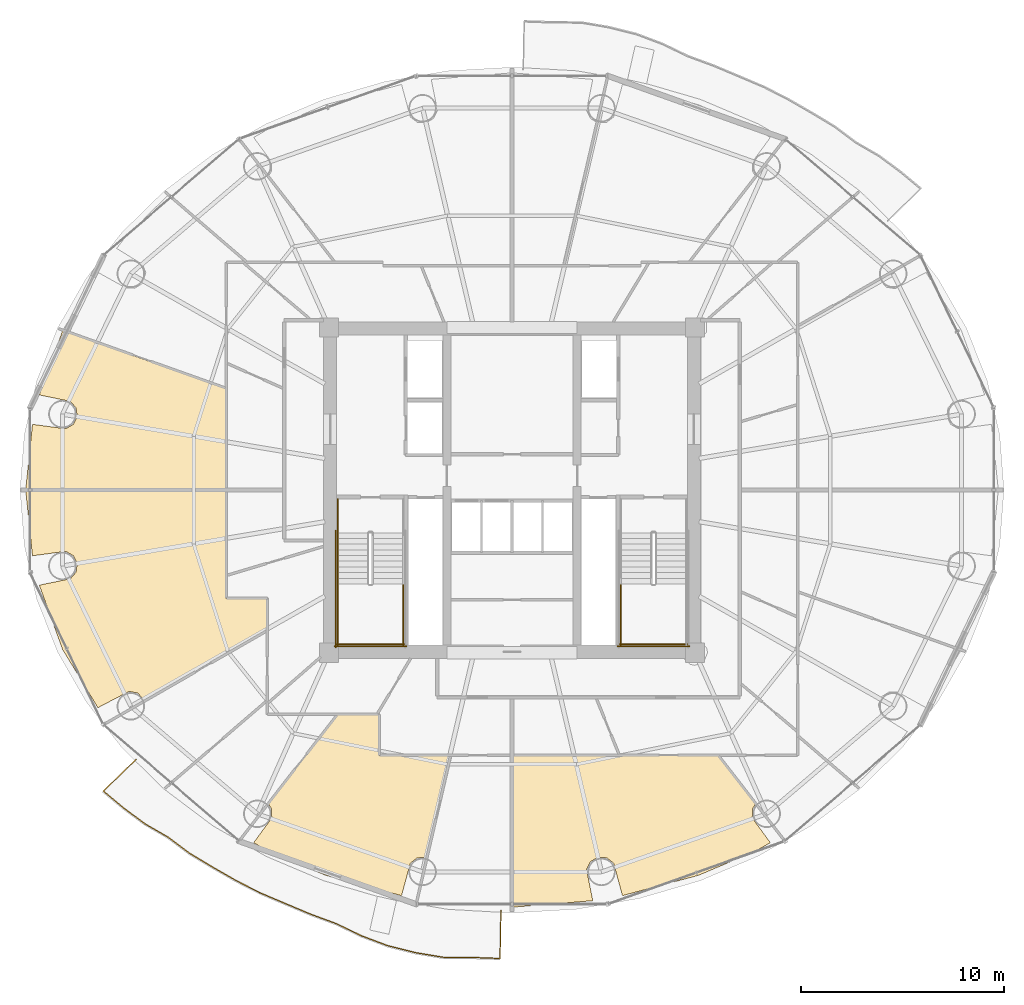
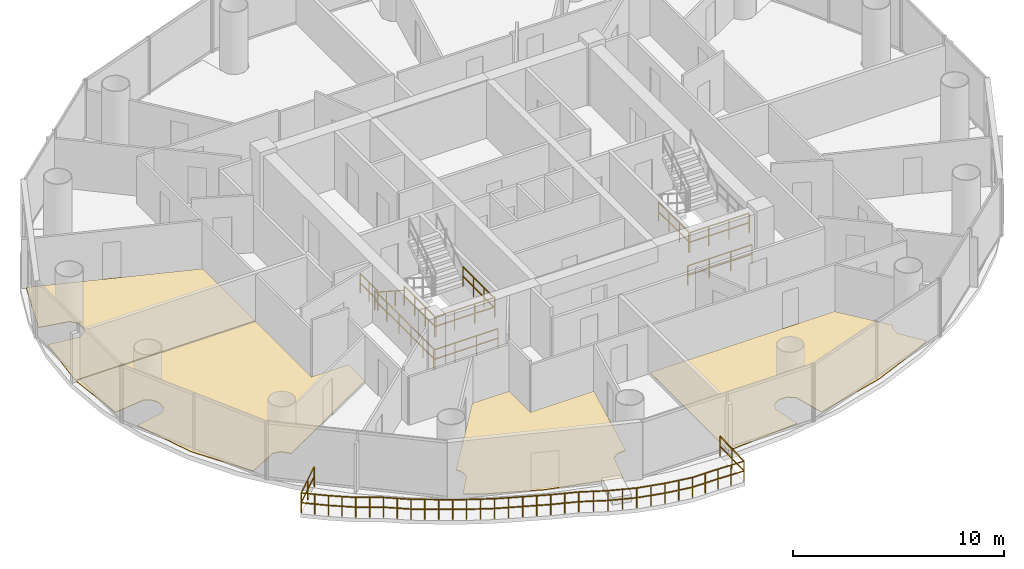
# One storey, part 25 of 27: 11 railings, 4 coverings.
"""IFC4 building model written with IfcOpenShell, lengths in metres."""

from ifc_helpers import new_model, si_unit, direction, frame, origin, origin_2d, place, context, subcontext, project, spatial, polyline, rectangle, outline, extrude, material, layer, layer_set, type_object, element, save


model = new_model("IFC4")

# Units and contexts
model_context = context("Model", 3, precision=1e-05, world=origin(), true_north=direction((-0.2419218956, 0.970295726276)))
body_context = subcontext(model_context, "Body", "Model", "MODEL_VIEW")
ifc_project = project(units=[si_unit("LENGTHUNIT", "METRE"), si_unit("AREAUNIT", "SQUARE_METRE"), si_unit("VOLUMEUNIT", "CUBIC_METRE"), si_unit("PLANEANGLEUNIT", "RADIAN"), si_unit("MASSUNIT", "GRAM", prefix="KILO")], contexts=[model_context])

# Site, building, storey
site_placement = place(None, origin())
site = spatial("IfcSite", under=ifc_project, at=site_placement, CompositionType="ELEMENT")
building_placement = place(site_placement, origin())
building = spatial("IfcBuilding", under=site, at=building_placement, Name="Cobrevalo Terracotta Tower", CompositionType="ELEMENT")
storey_placement = place(building_placement, frame((0.0, 0.0, 160.60009765625)))
storey = spatial("IfcBuildingStorey", under=building, at=storey_placement, Name="L42", CompositionType="ELEMENT", Elevation=160.60009765625)

# Railing
ifc_material_1 = material(Name="Laminated structural glass and stainless steel", Category="steel")
railing_type_1 = type_object("IfcRailingType", Name="Balcony lobe structural glass & terracotta-cap balustrade 1180 mm", PredefinedType="BALUSTRADE", material=ifc_material_1)
railing_1_placement = place(storey_placement, frame((19.51708984375, 13.560302734375, 0.0)))
element("IfcRailing", 1, at=railing_1_placement, inside=storey, type_object=railing_type_1, Name="L42 spiralling balcony lobe balustrade 2", PredefinedType="BALUSTRADE", context=body_context, shape_type="SweptSolid", body=[
    extrude(rectangle(XDim=0.048095703125, YDim=0.048095703125, at=origin_2d()), frame((0.0, 0.0, 1.15576171875), z_axis=(-0.718233453447, -0.695802203467, 0.0), x_axis=(0.695802203467, -0.718233453447, 0.0)), (0.0, 0.0, 1.0), 2.2529296875),
    extrude(rectangle(XDim=0.048095703125, YDim=0.048095703125, at=origin_2d()), frame((0.0, 0.0, 0.58984375), z_axis=(-0.718233453447, -0.695802203467, 0.0), x_axis=(0.695802203467, -0.718233453447, 0.0)), (0.0, 0.0, 1.0), 2.2529296875),
    extrude(rectangle(XDim=0.048095703125, YDim=0.048095703125, at=origin_2d()), frame((-1.6181640625, -1.567626953125, 1.15576171875), z_axis=(0.768618713943, -0.639707177212, 0.0), x_axis=(0.639707177212, 0.768618713943, 0.0)), (0.0, 0.0, 1.0), 1.30859375),
    extrude(rectangle(XDim=0.048095703125, YDim=0.048095703125, at=origin_2d()), frame((-1.6181640625, -1.567626953125, 0.58984375), z_axis=(0.768618713943, -0.639707177212, 0.0), x_axis=(0.639707177212, 0.768618713943, 0.0)), (0.0, 0.0, 1.0), 1.30859375),
    extrude(rectangle(XDim=0.048095703125, YDim=0.048095703125, at=origin_2d()), frame((-0.6123046875, -2.40478515625, 1.15576171875), z_axis=(0.803464437547, -0.595352750558, 0.0), x_axis=(0.595352750558, 0.803464437547, 0.0)), (0.0, 0.0, 1.0), 1.3056640625),
    extrude(rectangle(XDim=0.048095703125, YDim=0.048095703125, at=origin_2d()), frame((-0.6123046875, -2.40478515625, 0.58984375), z_axis=(0.803464437547, -0.595352750558, 0.0), x_axis=(0.595352750558, 0.803464437547, 0.0)), (0.0, 0.0, 1.0), 1.3056640625),
    extrude(rectangle(XDim=0.048095703125, YDim=0.048095703125, at=origin_2d()), frame((0.436767578125, -3.18212890625, 1.15576171875), z_axis=(0.865552503894, -0.500818193561, 0.0), x_axis=(0.500818193561, 0.865552503894, 0.0)), (0.0, 0.0, 1.0), 1.323974609375),
    extrude(rectangle(XDim=0.048095703125, YDim=0.048095703125, at=origin_2d()), frame((0.436767578125, -3.18212890625, 0.58984375), z_axis=(0.865552503894, -0.500818193561, 0.0), x_axis=(0.500818193561, 0.865552503894, 0.0)), (0.0, 0.0, 1.0), 1.323974609375),
    extrude(rectangle(XDim=0.048095703125, YDim=0.048095703125, at=origin_2d()), frame((1.582763671875, -3.84521484375, 1.15576171875), z_axis=(0.800089804673, -0.599880241764, 0.0), x_axis=(0.599880241764, 0.800089804673, 0.0)), (0.0, 0.0, 1.0), 1.3046875),
    extrude(rectangle(XDim=0.048095703125, YDim=0.048095703125, at=origin_2d()), frame((1.582763671875, -3.84521484375, 0.58984375), z_axis=(0.800089804673, -0.599880241764, 0.0), x_axis=(0.599880241764, 0.800089804673, 0.0)), (0.0, 0.0, 1.0), 1.3046875),
    extrude(rectangle(XDim=0.048095703125, YDim=0.048095703125, at=origin_2d()), frame((2.626708984375, -4.6279296875, 1.15576171875), z_axis=(0.857150293111, -0.515066379237, 0.0), x_axis=(0.515066379237, 0.857150293111, 0.0)), (0.0, 0.0, 1.0), 1.321044921875),
    extrude(rectangle(XDim=0.048095703125, YDim=0.048095703125, at=origin_2d()), frame((2.626708984375, -4.6279296875, 0.58984375), z_axis=(0.857150293111, -0.515066379237, 0.0), x_axis=(0.515066379237, 0.857150293111, 0.0)), (0.0, 0.0, 1.0), 1.321044921875),
    extrude(rectangle(XDim=0.048095703125, YDim=0.048095703125, at=origin_2d()), frame((3.759033203125, -5.308349609375, 1.15576171875), z_axis=(0.86753891337, -0.497369313275, 0.0), x_axis=(0.497369313275, 0.86753891337, 0.0)), (0.0, 0.0, 1.0), 1.324462890625),
    extrude(rectangle(XDim=0.048095703125, YDim=0.048095703125, at=origin_2d()), frame((3.759033203125, -5.308349609375, 0.58984375), z_axis=(0.86753891337, -0.497369313275, 0.0), x_axis=(0.497369313275, 0.86753891337, 0.0)), (0.0, 0.0, 1.0), 1.324462890625),
    extrude(rectangle(XDim=0.048095703125, YDim=0.048095703125, at=origin_2d()), frame((4.907958984375, -5.967041015625, 1.15576171875), z_axis=(0.890385027696, -0.455208196822, 0.0), x_axis=(0.455208196822, 0.890385027696, 0.0)), (0.0, 0.0, 1.0), 1.328369140625),
    extrude(rectangle(XDim=0.048095703125, YDim=0.048095703125, at=origin_2d()), frame((4.907958984375, -5.967041015625, 0.58984375), z_axis=(0.890385027696, -0.455208196822, 0.0), x_axis=(0.455208196822, 0.890385027696, 0.0)), (0.0, 0.0, 1.0), 1.328369140625),
    extrude(rectangle(XDim=0.048095703125, YDim=0.048095703125, at=origin_2d()), frame((6.0908203125, -6.57177734375, 1.15576171875), z_axis=(0.920438971217, -0.390886300944, 0.0), x_axis=(0.390886300944, 0.920438971217, 0.0)), (0.0, 0.0, 1.0), 1.341552734375),
    extrude(rectangle(XDim=0.048095703125, YDim=0.048095703125, at=origin_2d()), frame((6.0908203125, -6.57177734375, 0.58984375), z_axis=(0.920438971217, -0.390886300944, 0.0), x_axis=(0.390886300944, 0.920438971217, 0.0)), (0.0, 0.0, 1.0), 1.341552734375),
    extrude(rectangle(XDim=0.048095703125, YDim=0.048095703125, at=origin_2d()), frame((7.32568359375, -7.09619140625, 1.15576171875), z_axis=(0.921669658252, -0.387975567604, 0.0), x_axis=(0.387975567604, 0.921669658252, 0.0)), (0.0, 0.0, 1.0), 1.34033203125),
    extrude(rectangle(XDim=0.048095703125, YDim=0.048095703125, at=origin_2d()), frame((7.32568359375, -7.09619140625, 0.58984375), z_axis=(0.921669658252, -0.387975567604, 0.0), x_axis=(0.387975567604, 0.921669658252, 0.0)), (0.0, 0.0, 1.0), 1.34033203125),
    extrude(rectangle(XDim=0.048095703125, YDim=0.048095703125, at=origin_2d()), frame((8.56103515625, -7.6162109375, 1.15576171875), z_axis=(0.938217022621, -0.346047422276, 0.0), x_axis=(0.346047422276, 0.938217022621, 0.0)), (0.0, 0.0, 1.0), 1.35595703125),
    extrude(rectangle(XDim=0.048095703125, YDim=0.048095703125, at=origin_2d()), frame((8.56103515625, -7.6162109375, 0.58984375), z_axis=(0.938217022621, -0.346047422276, 0.0), x_axis=(0.346047422276, 0.938217022621, 0.0)), (0.0, 0.0, 1.0), 1.35595703125),
    extrude(rectangle(XDim=0.048095703125, YDim=0.048095703125, at=origin_2d()), frame((9.833251953125, -8.08544921875, 1.15576171875), z_axis=(0.900958274247, -0.433905736384, 0.0), x_axis=(0.433905736384, 0.900958274247, 0.0)), (0.0, 0.0, 1.0), 1.384765625),
    extrude(rectangle(XDim=0.048095703125, YDim=0.048095703125, at=origin_2d()), frame((9.833251953125, -8.08544921875, 0.58984375), z_axis=(0.900958274247, -0.433905736384, 0.0), x_axis=(0.433905736384, 0.900958274247, 0.0)), (0.0, 0.0, 1.0), 1.384765625),
    extrude(rectangle(XDim=0.048095703125, YDim=0.048095703125, at=origin_2d()), frame((11.080810546875, -8.686279296875, 1.15576171875), z_axis=(0.935771500911, -0.352607002317, 0.0), x_axis=(0.352607002317, 0.935771500911, 0.0)), (0.0, 0.0, 1.0), 1.38818359375),
    extrude(rectangle(XDim=0.048095703125, YDim=0.048095703125, at=origin_2d()), frame((11.080810546875, -8.686279296875, 0.58984375), z_axis=(0.935771500911, -0.352607002317, 0.0), x_axis=(0.352607002317, 0.935771500911, 0.0)), (0.0, 0.0, 1.0), 1.38818359375),
    extrude(rectangle(XDim=0.048095703125, YDim=0.048095703125, at=origin_2d()), frame((12.3798828125, -9.17578125, 1.15576171875), z_axis=(0.970286719196, -0.241958018159, 0.0), x_axis=(0.241958018159, 0.970286719196, 0.0)), (0.0, 0.0, 1.0), 1.392333984375),
    extrude(rectangle(XDim=0.048095703125, YDim=0.048095703125, at=origin_2d()), frame((12.3798828125, -9.17578125, 0.58984375), z_axis=(0.970286719196, -0.241958018159, 0.0), x_axis=(0.241958018159, 0.970286719196, 0.0)), (0.0, 0.0, 1.0), 1.392333984375),
    extrude(rectangle(XDim=0.048095703125, YDim=0.048095703125, at=origin_2d()), frame((13.73095703125, -9.5126953125, 1.15576171875), z_axis=(0.986251316426, -0.165252355047, 0.0), x_axis=(0.165252355047, 0.986251316426, 0.0)), (0.0, 0.0, 1.0), 1.3916015625),
    extrude(rectangle(XDim=0.048095703125, YDim=0.048095703125, at=origin_2d()), frame((13.73095703125, -9.5126953125, 0.58984375), z_axis=(0.986251316426, -0.165252355047, 0.0), x_axis=(0.165252355047, 0.986251316426, 0.0)), (0.0, 0.0, 1.0), 1.3916015625),
    extrude(rectangle(XDim=0.048095703125, YDim=0.048095703125, at=origin_2d()), frame((15.103515625, -9.74267578125, 1.15576171875), z_axis=(0.999985370717, -0.005409099022, 0.0), x_axis=(0.005409099022, 0.999985370717, 0.0)), (0.0, 0.0, 1.0), 1.399169921875),
    extrude(rectangle(XDim=0.048095703125, YDim=0.048095703125, at=origin_2d()), frame((15.103515625, -9.74267578125, 0.58984375), z_axis=(0.999985370717, -0.005409099022, 0.0), x_axis=(0.005409099022, 0.999985370717, 0.0)), (0.0, 0.0, 1.0), 1.399169921875),
    extrude(rectangle(XDim=0.048095703125, YDim=0.048095703125, at=origin_2d()), frame((16.502685546875, -9.750244140625, 1.15576171875), z_axis=(0.999334859344, -0.036466956271, 0.0), x_axis=(0.036466956271, 0.999334859344, 0.0)), (0.0, 0.0, 1.0), 1.392578125),
    extrude(rectangle(XDim=0.048095703125, YDim=0.048095703125, at=origin_2d()), frame((16.502685546875, -9.750244140625, 0.58984375), z_axis=(0.999334859344, -0.036466956271, 0.0), x_axis=(0.036466956271, 0.999334859344, 0.0)), (0.0, 0.0, 1.0), 1.392578125),
    extrude(rectangle(XDim=0.048095703125, YDim=0.048095703125, at=origin_2d()), frame((17.894287109375, -9.801025390625, 1.15576171875), z_axis=(0.019433880803, 0.999811144305, 0.0), x_axis=(-0.999811144305, 0.019433880803, 0.0)), (0.0, 0.0, 1.0), 2.36181640625),
    extrude(rectangle(XDim=0.048095703125, YDim=0.048095703125, at=origin_2d()), frame((17.894287109375, -9.801025390625, 0.58984375), z_axis=(0.019433880803, 0.999811144305, 0.0), x_axis=(-0.999811144305, 0.019433880803, 0.0)), (0.0, 0.0, 1.0), 2.36181640625),
    extrude(rectangle(XDim=0.0419921875, YDim=0.0419921875, at=origin_2d()), origin(), (0.0, 0.0, 1.0), 1.1318359375),
    extrude(rectangle(XDim=0.0419921875, YDim=0.0419921875, at=origin_2d()), frame((-0.80908203125, -0.78369140625, 0.0)), (0.0, 0.0, 1.0), 1.1318359375),
    extrude(rectangle(XDim=0.0419921875, YDim=0.0419921875, at=origin_2d()), frame((-1.6181640625, -1.567626953125, 0.0)), (0.0, 0.0, 1.0), 1.1318359375),
    extrude(rectangle(XDim=0.0419921875, YDim=0.0419921875, at=origin_2d()), frame((-1.115234375, -1.986328125, 0.0)), (0.0, 0.0, 1.0), 1.1318359375),
    extrude(rectangle(XDim=0.0419921875, YDim=0.0419921875, at=origin_2d()), frame((-0.6123046875, -2.40478515625, 0.0)), (0.0, 0.0, 1.0), 1.1318359375),
    extrude(rectangle(XDim=0.0419921875, YDim=0.0419921875, at=origin_2d()), frame((-0.087890625, -2.79345703125, 0.0)), (0.0, 0.0, 1.0), 1.1318359375),
    extrude(rectangle(XDim=0.0419921875, YDim=0.0419921875, at=origin_2d()), frame((0.436767578125, -3.18212890625, 0.0)), (0.0, 0.0, 1.0), 1.1318359375),
    extrude(rectangle(XDim=0.0419921875, YDim=0.0419921875, at=origin_2d()), frame((1.009765625, -3.513671875, 0.0)), (0.0, 0.0, 1.0), 1.1318359375),
    extrude(rectangle(XDim=0.0419921875, YDim=0.0419921875, at=origin_2d()), frame((1.582763671875, -3.84521484375, 0.0)), (0.0, 0.0, 1.0), 1.1318359375),
    extrude(rectangle(XDim=0.0419921875, YDim=0.0419921875, at=origin_2d()), frame((2.104736328125, -4.236572265625, 0.0)), (0.0, 0.0, 1.0), 1.1318359375),
    extrude(rectangle(XDim=0.0419921875, YDim=0.0419921875, at=origin_2d()), frame((2.626708984375, -4.6279296875, 0.0)), (0.0, 0.0, 1.0), 1.1318359375),
    extrude(rectangle(XDim=0.0419921875, YDim=0.0419921875, at=origin_2d()), frame((3.19287109375, -4.96826171875, 0.0)), (0.0, 0.0, 1.0), 1.1318359375),
    extrude(rectangle(XDim=0.0419921875, YDim=0.0419921875, at=origin_2d()), frame((3.759033203125, -5.308349609375, 0.0)), (0.0, 0.0, 1.0), 1.1318359375),
    extrude(rectangle(XDim=0.0419921875, YDim=0.0419921875, at=origin_2d()), frame((4.33349609375, -5.6376953125, 0.0)), (0.0, 0.0, 1.0), 1.1318359375),
    extrude(rectangle(XDim=0.0419921875, YDim=0.0419921875, at=origin_2d()), frame((4.907958984375, -5.967041015625, 0.0)), (0.0, 0.0, 1.0), 1.1318359375),
    extrude(rectangle(XDim=0.0419921875, YDim=0.0419921875, at=origin_2d()), frame((5.49951171875, -6.26953125, 0.0)), (0.0, 0.0, 1.0), 1.1318359375),
    extrude(rectangle(XDim=0.0419921875, YDim=0.0419921875, at=origin_2d()), frame((6.0908203125, -6.57177734375, 0.0)), (0.0, 0.0, 1.0), 1.1318359375),
    extrude(rectangle(XDim=0.0419921875, YDim=0.0419921875, at=origin_2d()), frame((6.708251953125, -6.833984375, 0.0)), (0.0, 0.0, 1.0), 1.1318359375),
    extrude(rectangle(XDim=0.0419921875, YDim=0.0419921875, at=origin_2d()), frame((7.32568359375, -7.09619140625, 0.0)), (0.0, 0.0, 1.0), 1.1318359375),
    extrude(rectangle(XDim=0.0419921875, YDim=0.0419921875, at=origin_2d()), frame((7.943359375, -7.356201171875, 0.0)), (0.0, 0.0, 1.0), 1.1318359375),
    extrude(rectangle(XDim=0.0419921875, YDim=0.0419921875, at=origin_2d()), frame((8.56103515625, -7.6162109375, 0.0)), (0.0, 0.0, 1.0), 1.1318359375),
    extrude(rectangle(XDim=0.0419921875, YDim=0.0419921875, at=origin_2d()), frame((9.197265625, -7.850830078125, 0.0)), (0.0, 0.0, 1.0), 1.1318359375),
    extrude(rectangle(XDim=0.0419921875, YDim=0.0419921875, at=origin_2d()), frame((9.833251953125, -8.08544921875, 0.0)), (0.0, 0.0, 1.0), 1.1318359375),
    extrude(rectangle(XDim=0.0419921875, YDim=0.0419921875, at=origin_2d()), frame((10.45703125, -8.3857421875, 0.0)), (0.0, 0.0, 1.0), 1.1318359375),
    extrude(rectangle(XDim=0.0419921875, YDim=0.0419921875, at=origin_2d()), frame((11.080810546875, -8.686279296875, 0.0)), (0.0, 0.0, 1.0), 1.1318359375),
    extrude(rectangle(XDim=0.0419921875, YDim=0.0419921875, at=origin_2d()), frame((11.73046875, -8.93115234375, 0.0)), (0.0, 0.0, 1.0), 1.1318359375),
    extrude(rectangle(XDim=0.0419921875, YDim=0.0419921875, at=origin_2d()), frame((12.3798828125, -9.17578125, 0.0)), (0.0, 0.0, 1.0), 1.1318359375),
    extrude(rectangle(XDim=0.0419921875, YDim=0.0419921875, at=origin_2d()), frame((13.055419921875, -9.34423828125, 0.0)), (0.0, 0.0, 1.0), 1.1318359375),
    extrude(rectangle(XDim=0.0419921875, YDim=0.0419921875, at=origin_2d()), frame((13.73095703125, -9.5126953125, 0.0)), (0.0, 0.0, 1.0), 1.1318359375),
    extrude(rectangle(XDim=0.0419921875, YDim=0.0419921875, at=origin_2d()), frame((14.417236328125, -9.627685546875, 0.0)), (0.0, 0.0, 1.0), 1.1318359375),
    extrude(rectangle(XDim=0.0419921875, YDim=0.0419921875, at=origin_2d()), frame((15.103515625, -9.74267578125, 0.0)), (0.0, 0.0, 1.0), 1.1318359375),
    extrude(rectangle(XDim=0.0419921875, YDim=0.0419921875, at=origin_2d()), frame((15.80322265625, -9.74658203125, 0.0)), (0.0, 0.0, 1.0), 1.1318359375),
    extrude(rectangle(XDim=0.0419921875, YDim=0.0419921875, at=origin_2d()), frame((16.502685546875, -9.750244140625, 0.0)), (0.0, 0.0, 1.0), 1.1318359375),
    extrude(rectangle(XDim=0.0419921875, YDim=0.0419921875, at=origin_2d()), frame((17.198486328125, -9.775634765625, 0.0)), (0.0, 0.0, 1.0), 1.1318359375),
    extrude(rectangle(XDim=0.0419921875, YDim=0.0419921875, at=origin_2d()), frame((17.894287109375, -9.801025390625, 0.0)), (0.0, 0.0, 1.0), 1.1318359375),
    extrude(rectangle(XDim=0.0419921875, YDim=0.0419921875, at=origin_2d()), frame((17.917236328125, -8.620361328125, 0.0)), (0.0, 0.0, 1.0), 1.1318359375),
    extrude(rectangle(XDim=0.0419921875, YDim=0.0419921875, at=origin_2d()), frame((17.940185546875, -7.439697265625, 0.0)), (0.0, 0.0, 1.0), 1.1318359375),
])

# Coverings
ifc_material_2 = material(Name="Engineered Brazilian hardwood flooring", Category="wood")
ifc_layer = layer(ifc_material_2, 0.028076171875)
ifc_layer_set = layer_set([ifc_layer], Name="Engineered Brazilian hardwood flooring")
covering_type = type_object("IfcCoveringType", Name="Engineered Hardwood Suite Flooring 28", PredefinedType="FLOORING", material=ifc_layer_set)
covering_1_placement = place(storey_placement, origin())
element("IfcCovering", 2, at=covering_1_placement, inside=storey, type_object=covering_type, Name="Flat L42B Penthouse Family Lounge floor finish", PredefinedType="FLOORING", context=body_context, shape_type="SweptSolid", body=[
    extrude(outline(polyline([(23.93505859375, 31.7861328125), (23.93505859375, 26.820068359375), (14.08154296875, 26.820068359375), (14.41357421875, 30.03369140625), (16.048583984375, 29.814697265625), (16.421630859375, 30.028076171875), (16.613037109375, 30.41259765625), (16.55859375, 30.8388671875), (16.2763671875, 31.1630859375), (14.748291015625, 31.478271484375), (15.898681640625, 34.647216796875), (23.93505859375, 31.7861328125)])), origin(), (0.0, 0.0, 1.0), 0.02978515625),
])
covering_2_placement = place(storey_placement, origin())
element("IfcCovering", 3, at=covering_2_placement, inside=storey, type_object=covering_type, Name="Flat L42C Penthouse Living and Dining Room floor finish", PredefinedType="FLOORING", context=body_context, shape_type="SweptSolid", body=[
    extrude(outline(polyline([(15.900390625, 18.948486328125), (14.748291015625, 22.121826171875), (16.2763671875, 22.43701171875), (16.55859375, 22.760986328125), (16.613037109375, 23.187255859375), (16.421630859375, 23.572021484375), (16.048583984375, 23.785400390625), (14.41357421875, 23.566162109375), (14.08154296875, 26.780029296875), (23.93505859375, 26.780029296875), (23.93505859375, 21.4599609375), (25.945068359375, 21.4599609375), (25.945068359375, 19.89990234375), (19.929931640625, 16.4453125), (19.582763671875, 16.822021484375), (19.1591796875, 16.895263671875), (17.632568359375, 16.09375), (15.900390625, 18.948486328125)])), origin(), (0.0, 0.0, 1.0), 0.02978515625),
])
covering_3_placement = place(storey_placement, origin())
element("IfcCovering", 4, at=covering_3_placement, inside=storey, type_object=covering_type, Name="Flat L42C Principal Guest Bedroom floor finish", PredefinedType="FLOORING", context=body_context, shape_type="SweptSolid", body=[
    extrude(outline(polyline([(26.038818359375, 9.02978515625), (25.295166015625, 9.4560546875), (26.184326171875, 10.67724609375), (26.175537109375, 11.106689453125), (26.02490234375, 11.363525390625), (29.43115234375, 15.7451171875), (31.4599609375, 15.7451171875), (31.4599609375, 13.735107421875), (34.955810546875, 13.735107421875), (33.796630859375, 8.72607421875), (33.3408203125, 8.7109375), (32.99951171875, 8.44970703125), (32.567138671875, 6.849853515625), (28.84521484375, 7.84228515625), (26.038818359375, 9.02978515625)])), origin(), (0.0, 0.0, 1.0), 0.02978515625),
])
covering_4_placement = place(storey_placement, origin())
element("IfcCovering", 5, at=covering_4_placement, inside=storey, type_object=covering_type, Name="Flat L42D Living and Dining Room floor finish", PredefinedType="FLOORING", context=body_context, shape_type="SweptSolid", body=[
    extrude(outline(polyline([(47.15478515625, 7.84228515625), (43.432861328125, 6.849853515625), (43.00048828125, 8.44970703125), (42.6591796875, 8.7109375), (42.23046875, 8.738525390625), (41.858642578125, 8.5234375), (41.6689453125, 8.1376953125), (41.97119140625, 6.6005859375), (38.02001953125, 6.28125), (38.02001953125, 13.735107421875), (48.13134765625, 13.735107421875), (49.97509765625, 11.363525390625), (49.824462890625, 11.106689453125), (49.815673828125, 10.67724609375), (50.704833984375, 9.4560546875), (49.961181640625, 9.02978515625), (47.15478515625, 7.84228515625)])), origin(), (0.0, 0.0, 1.0), 0.02978515625),
])

# Railings
ifc_material_3 = material(Name="Brushed stainless steel", Category="steel")
railing_type_2 = type_object("IfcRailingType", Name="Stainless Steel Stair Handrail 900", PredefinedType="HANDRAIL", material=ifc_material_3)
railing_2_placement = place(storey_placement, frame((29.425048828125, 24.699951171875, 0.179931640625)))
element("IfcRailing", 6, at=railing_2_placement, inside=storey, type_object=railing_type_2, Name="L42 ST-1 stair handrail 1", PredefinedType="HANDRAIL", context=body_context, shape_type="SweptSolid", body=[
    extrude(rectangle(XDim=0.048095703125, YDim=0.048095703125, at=origin_2d()), frame((0.0, 0.0, 0.8759765625), z_axis=(0.0, -0.841199657755, 0.540724639528), x_axis=(1.0, 0.0, 0.0)), (0.0, 0.0, 1.0), 2.995849609375),
    extrude(rectangle(XDim=0.0419921875, YDim=0.0419921875, at=origin_2d()), origin(), (0.0, 0.0, 1.0), 0.851806640625),
    extrude(rectangle(XDim=0.0419921875, YDim=0.0419921875, at=origin_2d()), frame((0.0, -0.840087890625, 0.5400390625)), (0.0, 0.0, 1.0), 0.851806640625),
    extrude(rectangle(XDim=0.0419921875, YDim=0.0419921875, at=origin_2d()), frame((0.0, -1.679931640625, 1.079833984375)), (0.0, 0.0, 1.0), 0.851806640625),
    extrude(rectangle(XDim=0.0419921875, YDim=0.0419921875, at=origin_2d()), frame((0.0, -2.52001953125, 1.619873046875)), (0.0, 0.0, 1.0), 0.851806640625),
])
ifc_material_4 = material(Name="Painted galvanized steel", Category="steel")
railing_type_3 = type_object("IfcRailingType", Name="Stair Well Guard Balustrade 1150", PredefinedType="GUARDRAIL", material=ifc_material_4)
for number, where, name in (
    (7, (29.425048828125, 22.179931640625, 1.7998046875), "L42 ST-1 stair guard 3"),
    (8, (32.64501953125, 22.179931640625, 1.7998046875), "L42 ST-1 stair guard 4"),
):
    element("IfcRailing", number, at=place(storey_placement, frame(where)), inside=storey, type_object=railing_type_3, Name=name, PredefinedType="GUARDRAIL", context=body_context, shape_type="SweptSolid", body=[
        extrude(rectangle(XDim=0.048095703125, YDim=0.048095703125, at=origin_2d()), frame((0.0, 0.0, 1.1259765625), z_axis=(0.0, -1.0, 0.0), x_axis=(1.0, 0.0, 0.0)), (0.0, 0.0, 1.0), 3.0048828125),
        extrude(rectangle(XDim=0.048095703125, YDim=0.048095703125, at=origin_2d()), frame((0.0, 0.0, 0.574951171875), z_axis=(0.0, -1.0, 0.0), x_axis=(1.0, 0.0, 0.0)), (0.0, 0.0, 1.0), 3.0048828125),
        extrude(rectangle(XDim=0.0419921875, YDim=0.0419921875, at=origin_2d()), origin(), (0.0, 0.0, 1.0), 1.101806640625),
        extrude(rectangle(XDim=0.0419921875, YDim=0.0419921875, at=origin_2d()), frame((0.0, -1.001708984375, 0.0)), (0.0, 0.0, 1.0), 1.101806640625),
        extrude(rectangle(XDim=0.0419921875, YDim=0.0419921875, at=origin_2d()), frame((0.0, -2.003173828125, 0.0)), (0.0, 0.0, 1.0), 1.101806640625),
        extrude(rectangle(XDim=0.0419921875, YDim=0.0419921875, at=origin_2d()), frame((0.0, -3.0048828125, 0.0)), (0.0, 0.0, 1.0), 1.101806640625),
    ])
railing_3_placement = place(storey_placement, frame((29.375, 19.22509765625, 1.7998046875)))
element("IfcRailing", 9, at=railing_3_placement, inside=storey, type_object=railing_type_3, Name="L42 ST-1 stair guard 5", PredefinedType="GUARDRAIL", context=body_context, shape_type="SweptSolid", body=[
    extrude(rectangle(XDim=0.048095703125, YDim=0.048095703125, at=origin_2d()), frame((0.0, 0.0, 1.1259765625), z_axis=(1.0, 0.0, 0.0), x_axis=(0.0, 1.0, 0.0)), (0.0, 0.0, 1.0), 3.320068359375),
    extrude(rectangle(XDim=0.048095703125, YDim=0.048095703125, at=origin_2d()), frame((0.0, 0.0, 0.574951171875), z_axis=(1.0, 0.0, 0.0), x_axis=(0.0, 1.0, 0.0)), (0.0, 0.0, 1.0), 3.320068359375),
    extrude(rectangle(XDim=0.0419921875, YDim=0.0419921875, at=origin_2d()), origin(), (0.0, 0.0, 1.0), 1.101806640625),
    extrude(rectangle(XDim=0.0419921875, YDim=0.0419921875, at=origin_2d()), frame((1.106689453125, 0.0, 0.0)), (0.0, 0.0, 1.0), 1.101806640625),
    extrude(rectangle(XDim=0.0419921875, YDim=0.0419921875, at=origin_2d()), frame((2.21337890625, 0.0, 0.0)), (0.0, 0.0, 1.0), 1.101806640625),
    extrude(rectangle(XDim=0.0419921875, YDim=0.0419921875, at=origin_2d()), frame((3.320068359375, 0.0, 0.0)), (0.0, 0.0, 1.0), 1.101806640625),
])
railing_4_placement = place(storey_placement, frame((29.425048828125, 26.35009765625, 0.0)))
element("IfcRailing", 10, at=railing_4_placement, inside=storey, type_object=railing_type_3, Name="L42 ST-1 stair guard 8", PredefinedType="GUARDRAIL", context=body_context, shape_type="SweptSolid", body=[
    extrude(rectangle(XDim=0.048095703125, YDim=0.048095703125, at=origin_2d()), frame((0.0, 0.0, 1.1259765625), z_axis=(0.0, -1.0, 0.0), x_axis=(1.0, 0.0, 0.0)), (0.0, 0.0, 1.0), 1.650146484375),
    extrude(rectangle(XDim=0.048095703125, YDim=0.048095703125, at=origin_2d()), frame((0.0, 0.0, 0.574951171875), z_axis=(0.0, -1.0, 0.0), x_axis=(1.0, 0.0, 0.0)), (0.0, 0.0, 1.0), 1.650146484375),
    extrude(rectangle(XDim=0.0419921875, YDim=0.0419921875, at=origin_2d()), origin(), (0.0, 0.0, 1.0), 1.101806640625),
    extrude(rectangle(XDim=0.0419921875, YDim=0.0419921875, at=origin_2d()), frame((0.0, -0.8251953125, 0.0)), (0.0, 0.0, 1.0), 1.101806640625),
    extrude(rectangle(XDim=0.0419921875, YDim=0.0419921875, at=origin_2d()), frame((0.0, -1.650146484375, 0.0)), (0.0, 0.0, 1.0), 1.101806640625),
])
railing_5_placement = place(storey_placement, frame((29.324951171875, 24.800048828125, 0.0)))
element("IfcRailing", 11, at=railing_5_placement, inside=storey, type_object=railing_type_3, Name="L42 ST-1 stair guard 10", PredefinedType="GUARDRAIL", context=body_context, shape_type="SweptSolid", body=[
    extrude(rectangle(XDim=0.048095703125, YDim=0.048095703125, at=origin_2d()), frame((0.0, 0.0, 1.1259765625), z_axis=(0.0, -1.0, 0.0), x_axis=(1.0, 0.0, 0.0)), (0.0, 0.0, 1.0), 5.72509765625),
    extrude(rectangle(XDim=0.048095703125, YDim=0.048095703125, at=origin_2d()), frame((0.0, 0.0, 0.574951171875), z_axis=(0.0, -1.0, 0.0), x_axis=(1.0, 0.0, 0.0)), (0.0, 0.0, 1.0), 5.72509765625),
    extrude(rectangle(XDim=0.0419921875, YDim=0.0419921875, at=origin_2d()), origin(), (0.0, 0.0, 1.0), 1.101806640625),
    extrude(rectangle(XDim=0.0419921875, YDim=0.0419921875, at=origin_2d()), frame((0.0, -1.14501953125, 0.0)), (0.0, 0.0, 1.0), 1.101806640625),
    extrude(rectangle(XDim=0.0419921875, YDim=0.0419921875, at=origin_2d()), frame((0.0, -2.2900390625, 0.0)), (0.0, 0.0, 1.0), 1.101806640625),
    extrude(rectangle(XDim=0.0419921875, YDim=0.0419921875, at=origin_2d()), frame((0.0, -3.43505859375, 0.0)), (0.0, 0.0, 1.0), 1.101806640625),
    extrude(rectangle(XDim=0.0419921875, YDim=0.0419921875, at=origin_2d()), frame((0.0, -4.580078125, 0.0)), (0.0, 0.0, 1.0), 1.101806640625),
    extrude(rectangle(XDim=0.0419921875, YDim=0.0419921875, at=origin_2d()), frame((0.0, -5.72509765625, 0.0)), (0.0, 0.0, 1.0), 1.101806640625),
])
railing_6_placement = place(storey_placement, frame((29.27490234375, 19.125, 0.0)))
element("IfcRailing", 12, at=railing_6_placement, inside=storey, type_object=railing_type_3, Name="L42 ST-1 stair guard 12", PredefinedType="GUARDRAIL", context=body_context, shape_type="SweptSolid", body=[
    extrude(rectangle(XDim=0.048095703125, YDim=0.048095703125, at=origin_2d()), frame((0.0, 0.0, 1.1259765625), z_axis=(1.0, 0.0, 0.0), x_axis=(0.0, 1.0, 0.0)), (0.0, 0.0, 1.0), 3.52001953125),
    extrude(rectangle(XDim=0.048095703125, YDim=0.048095703125, at=origin_2d()), frame((0.0, 0.0, 0.574951171875), z_axis=(1.0, 0.0, 0.0), x_axis=(0.0, 1.0, 0.0)), (0.0, 0.0, 1.0), 3.52001953125),
    extrude(rectangle(XDim=0.0419921875, YDim=0.0419921875, at=origin_2d()), origin(), (0.0, 0.0, 1.0), 1.101806640625),
    extrude(rectangle(XDim=0.0419921875, YDim=0.0419921875, at=origin_2d()), frame((1.17333984375, 0.0, 0.0)), (0.0, 0.0, 1.0), 1.101806640625),
    extrude(rectangle(XDim=0.0419921875, YDim=0.0419921875, at=origin_2d()), frame((2.3466796875, 0.0, 0.0)), (0.0, 0.0, 1.0), 1.101806640625),
    extrude(rectangle(XDim=0.0419921875, YDim=0.0419921875, at=origin_2d()), frame((3.52001953125, 0.0, 0.0)), (0.0, 0.0, 1.0), 1.101806640625),
])
railing_7_placement = place(storey_placement, frame((43.35498046875, 22.179931640625, 1.7998046875)))
element("IfcRailing", 13, at=railing_7_placement, inside=storey, type_object=railing_type_3, Name="L42 ST-2 stair guard 3", PredefinedType="GUARDRAIL", context=body_context, shape_type="SweptSolid", body=[
    extrude(rectangle(XDim=0.048095703125, YDim=0.048095703125, at=origin_2d()), frame((0.0, 0.0, 1.1259765625), z_axis=(0.0, -1.0, 0.0), x_axis=(1.0, 0.0, 0.0)), (0.0, 0.0, 1.0), 3.0048828125),
    extrude(rectangle(XDim=0.048095703125, YDim=0.048095703125, at=origin_2d()), frame((0.0, 0.0, 0.574951171875), z_axis=(0.0, -1.0, 0.0), x_axis=(1.0, 0.0, 0.0)), (0.0, 0.0, 1.0), 3.0048828125),
    extrude(rectangle(XDim=0.0419921875, YDim=0.0419921875, at=origin_2d()), origin(), (0.0, 0.0, 1.0), 1.101806640625),
    extrude(rectangle(XDim=0.0419921875, YDim=0.0419921875, at=origin_2d()), frame((0.0, -1.001708984375, 0.0)), (0.0, 0.0, 1.0), 1.101806640625),
    extrude(rectangle(XDim=0.0419921875, YDim=0.0419921875, at=origin_2d()), frame((0.0, -2.003173828125, 0.0)), (0.0, 0.0, 1.0), 1.101806640625),
    extrude(rectangle(XDim=0.0419921875, YDim=0.0419921875, at=origin_2d()), frame((0.0, -3.0048828125, 0.0)), (0.0, 0.0, 1.0), 1.101806640625),
])
railing_8_placement = place(storey_placement, frame((43.304931640625, 19.22509765625, 1.7998046875)))
element("IfcRailing", 14, at=railing_8_placement, inside=storey, type_object=railing_type_3, Name="L42 ST-2 stair guard 5", PredefinedType="GUARDRAIL", context=body_context, shape_type="SweptSolid", body=[
    extrude(rectangle(XDim=0.048095703125, YDim=0.048095703125, at=origin_2d()), frame((0.0, 0.0, 1.1259765625), z_axis=(1.0, 0.0, 0.0), x_axis=(0.0, 1.0, 0.0)), (0.0, 0.0, 1.0), 3.320068359375),
    extrude(rectangle(XDim=0.048095703125, YDim=0.048095703125, at=origin_2d()), frame((0.0, 0.0, 0.574951171875), z_axis=(1.0, 0.0, 0.0), x_axis=(0.0, 1.0, 0.0)), (0.0, 0.0, 1.0), 3.320068359375),
    extrude(rectangle(XDim=0.0419921875, YDim=0.0419921875, at=origin_2d()), origin(), (0.0, 0.0, 1.0), 1.101806640625),
    extrude(rectangle(XDim=0.0419921875, YDim=0.0419921875, at=origin_2d()), frame((1.106689453125, 0.0, 0.0)), (0.0, 0.0, 1.0), 1.101806640625),
    extrude(rectangle(XDim=0.0419921875, YDim=0.0419921875, at=origin_2d()), frame((2.21337890625, 0.0, 0.0)), (0.0, 0.0, 1.0), 1.101806640625),
    extrude(rectangle(XDim=0.0419921875, YDim=0.0419921875, at=origin_2d()), frame((3.320068359375, 0.0, 0.0)), (0.0, 0.0, 1.0), 1.101806640625),
])
railing_9_placement = place(storey_placement, frame((43.205078125, 19.125, 0.0)))
element("IfcRailing", 15, at=railing_9_placement, inside=storey, type_object=railing_type_3, Name="L42 ST-2 stair guard 12", PredefinedType="GUARDRAIL", context=body_context, shape_type="SweptSolid", body=[
    extrude(rectangle(XDim=0.048095703125, YDim=0.048095703125, at=origin_2d()), frame((0.0, 0.0, 1.1259765625), z_axis=(1.0, 0.0, 0.0), x_axis=(0.0, 1.0, 0.0)), (0.0, 0.0, 1.0), 3.52001953125),
    extrude(rectangle(XDim=0.048095703125, YDim=0.048095703125, at=origin_2d()), frame((0.0, 0.0, 0.574951171875), z_axis=(1.0, 0.0, 0.0), x_axis=(0.0, 1.0, 0.0)), (0.0, 0.0, 1.0), 3.52001953125),
    extrude(rectangle(XDim=0.0419921875, YDim=0.0419921875, at=origin_2d()), origin(), (0.0, 0.0, 1.0), 1.101806640625),
    extrude(rectangle(XDim=0.0419921875, YDim=0.0419921875, at=origin_2d()), frame((1.17333984375, 0.0, 0.0)), (0.0, 0.0, 1.0), 1.101806640625),
    extrude(rectangle(XDim=0.0419921875, YDim=0.0419921875, at=origin_2d()), frame((2.3466796875, 0.0, 0.0)), (0.0, 0.0, 1.0), 1.101806640625),
    extrude(rectangle(XDim=0.0419921875, YDim=0.0419921875, at=origin_2d()), frame((3.52001953125, 0.0, 0.0)), (0.0, 0.0, 1.0), 1.101806640625),
])

save(model, "model.ifc")
